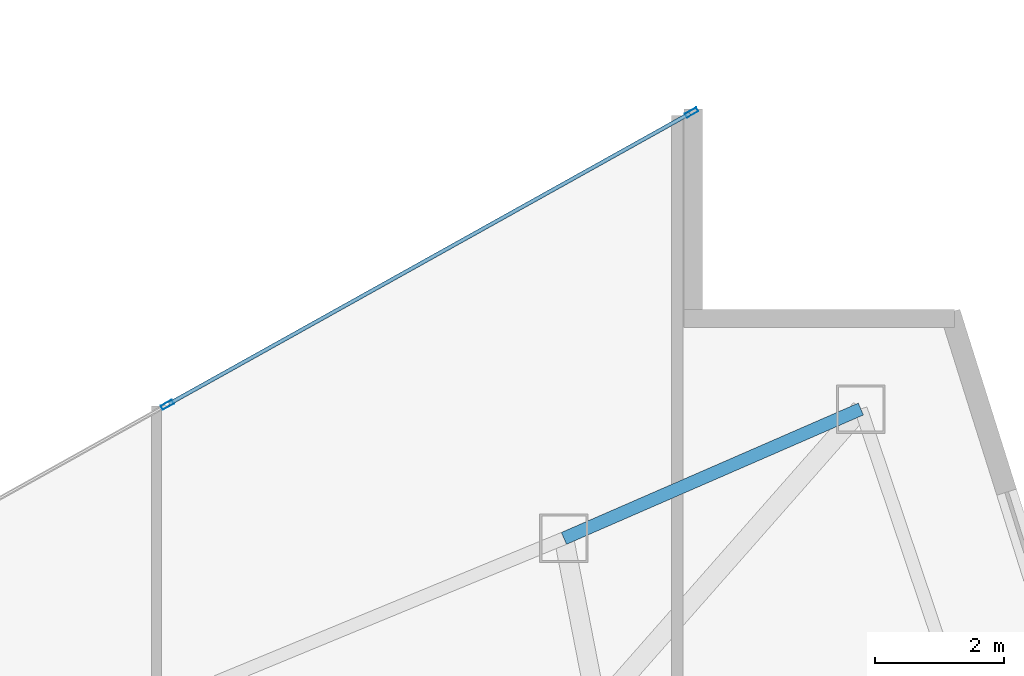
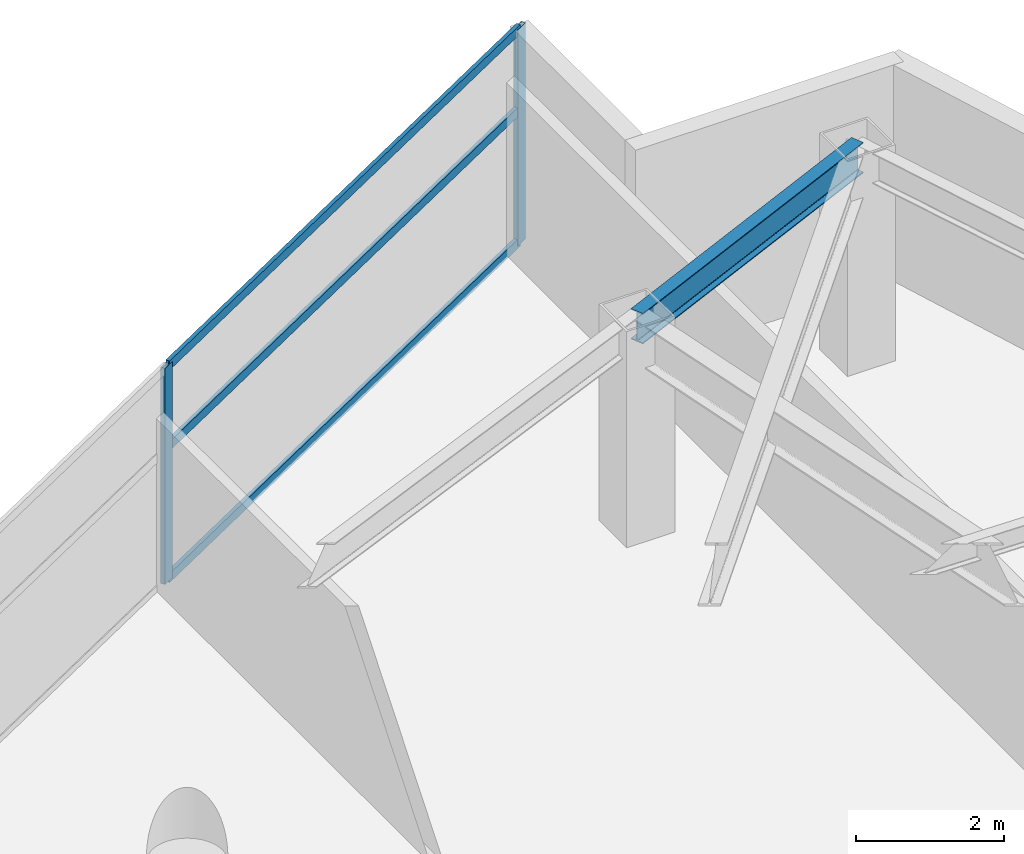
# One storey, part 20 of 29: 5 members, 1 beam, 1 element without a shape of its own.
"""IFC4 building model written with IfcOpenShell, lengths in metres."""

from ifc_helpers import new_model, si_unit, direction, frame, origin, origin_2d, place, context, subcontext, project, spatial, hollow_rectangle, i_section, extrude, material, layer, layer_set, material_profile, profile_set, type_object, element, aggregate, save


model = new_model("IFC4")

# Units and contexts
model_context = context("Model", 3, precision=1e-05, world=origin(), true_north=direction((0.0, 1.0)))
body_context = subcontext(model_context, "Body", "Model", "MODEL_VIEW")
ifc_project = project(units=[si_unit("LENGTHUNIT", "METRE"), si_unit("AREAUNIT", "SQUARE_METRE"), si_unit("VOLUMEUNIT", "CUBIC_METRE"), si_unit("PLANEANGLEUNIT", "RADIAN"), si_unit("MASSUNIT", "GRAM", prefix="KILO")], contexts=[model_context])

# Site, building, storey
site_placement = place(None, origin())
site = spatial("IfcSite", under=ifc_project, at=site_placement, CompositionType="ELEMENT")
building_placement = place(site_placement, origin())
building = spatial("IfcBuilding", under=site, at=building_placement, Name="Calvorn Quay Hotel", CompositionType="ELEMENT")
storey_placement = place(building_placement, frame((0.0, 0.0, 124.0)))
storey = spatial("IfcBuildingStorey", under=building, at=storey_placement, Name="L30", CompositionType="ELEMENT", Elevation=124.0)

# Beam
ifc_material_1 = material(Name="Steel Q355B", Category="steel")
ifc_material_profile_1 = material_profile(ifc_material_1, i_section(OverallWidth=0.199951171875, OverallDepth=0.5, WebThickness=0.010009765625, FlangeThickness=0.01611328125, FilletRadius=0.01611328125, at=origin_2d()), Name="HN500x200x10x16")
ifc_profile_set_1 = profile_set([ifc_material_profile_1], Name="Steel Q355B")
beam_type = type_object("IfcBeamType", Name="BM-SPANDREL-Z1", PredefinedType="SPANDREL", material=ifc_profile_set_1)
beam_placement = place(storey_placement, frame((48.591064453125, 33.39990234375, 3.2900390625), z_axis=(-0.916786146489, -0.399378469132, 0.0), x_axis=(0.399378469132, -0.916786146489, 0.0)))
element("IfcBeam", 1, at=beam_placement, inside=storey, type_object=beam_type, Name="Beam BSP-L30-E3", PredefinedType="SPANDREL", context=body_context, shape_type="SweptSolid", body=[
    extrude(i_section(OverallWidth=0.199951171875, OverallDepth=0.5, WebThickness=0.010009765625, FlangeThickness=0.01611328125, FilletRadius=0.01611328125, at=origin_2d()), origin(), (0.0, 0.0, 1.0), 5.0078125),
])

# Curtain wall, members
ifc_material_2 = material(Name="Pale Anodised Aluminium and Low-E Glass", Category="aluminium")
ifc_layer = layer(ifc_material_2, 0.219970703125)
ifc_layer_set = layer_set([ifc_layer], Name="CW-SYS-Z2")
curtain_wall_type = type_object("IfcCurtainWallType", Name="CW-SYS-Z2", PredefinedType="NOTDEFINED", material=ifc_layer_set)
curtain_wall_placement = place(storey_placement, origin())
curtain_wall = element("IfcCurtainWall", 2, at=curtain_wall_placement, inside=storey, type_object=curtain_wall_type, Name="Inner Court Curtain Wall L30-NE1", PredefinedType="NOTDEFINED")
ifc_material_3 = material(Name="Pale Anodised Aluminium 6063-T6", Category="aluminium")
ifc_material_profile_2 = material_profile(ifc_material_3, hollow_rectangle(XDim=0.070068359375, YDim=0.199951171875, WallThickness=0.00390625, at=origin_2d()), Name="ALU-M200x70x4")
ifc_profile_set_2 = profile_set([ifc_material_profile_2], Name="Pale Anodised Aluminium 6063-T6")
member_type_1 = type_object("IfcMemberType", Name="CW-SYS-Z2-MUL", PredefinedType="MULLION", material=ifc_profile_set_2)
member_1_placement = place(storey_placement, frame((45.973876953125, 37.9853515625, 0.0), z_axis=(0.0, 0.0, 1.0), x_axis=(0.486858256224, -0.873480989116, 0.0)))
member_1 = element("IfcMember", 3, at=member_1_placement, type_object=member_type_1, Name="CW-L30-NE1 mullion 1", PredefinedType="MULLION", context=body_context, shape_type="SweptSolid", body=[
    extrude(hollow_rectangle(XDim=0.070068359375, YDim=0.199951171875, WallThickness=0.00390625, at=origin_2d()), origin(), (0.0, 0.0, 1.0), 3.56005859375),
])
member_2_placement = place(storey_placement, frame((37.86669921875, 33.466552734375, 0.0), z_axis=(0.0, 0.0, 1.0), x_axis=(0.486858256224, -0.873480989116, 0.0)))
member_2 = element("IfcMember", 4, at=member_2_placement, type_object=member_type_1, Name="CW-L30-NE1 mullion 2", PredefinedType="MULLION", context=body_context, shape_type="SweptSolid", body=[
    extrude(hollow_rectangle(XDim=0.070068359375, YDim=0.199951171875, WallThickness=0.00390625, at=origin_2d()), origin(), (0.0, 0.0, 1.0), 3.56005859375),
])
ifc_material_4 = material(Name="Pale Anodised Aluminium 6063-T6", Category="aluminium")
ifc_material_profile_3 = material_profile(ifc_material_4, hollow_rectangle(XDim=0.06005859375, YDim=0.14990234375, WallThickness=0.00341796875, at=origin_2d()), Name="ALU-T150x60x3.5")
ifc_profile_set_3 = profile_set([ifc_material_profile_3], Name="Pale Anodised Aluminium 6063-T6")
member_type_2 = type_object("IfcMemberType", Name="CW-SYS-Z2-TRN", PredefinedType="USERDEFINED", material=ifc_profile_set_3)
member_3_placement = place(storey_placement, frame((45.947509765625, 37.970703125, 0.030029296875), z_axis=(-0.87348080454, -0.486858587375, 0.0), x_axis=(0.486858587375, -0.87348080454, 0.0)))
member_3 = element("IfcMember", 5, at=member_3_placement, type_object=member_type_2, Name="CW-L30-NE1 transom 1.1", ObjectType="TRANSOM", PredefinedType="USERDEFINED", context=body_context, shape_type="SweptSolid", body=[
    extrude(hollow_rectangle(XDim=0.06005859375, YDim=0.14990234375, WallThickness=0.00341796875, at=origin_2d()), origin(), (0.0, 0.0, 1.0), 9.221435546875),
])
member_4_placement = place(storey_placement, frame((45.947509765625, 37.970703125, 2.199951171875), z_axis=(-0.87348080454, -0.486858587375, 0.0), x_axis=(0.486858587375, -0.87348080454, 0.0)))
member_4 = element("IfcMember", 6, at=member_4_placement, type_object=member_type_2, Name="CW-L30-NE1 transom 1.2", ObjectType="TRANSOM", PredefinedType="USERDEFINED", context=body_context, shape_type="SweptSolid", body=[
    extrude(hollow_rectangle(XDim=0.06005859375, YDim=0.14990234375, WallThickness=0.00341796875, at=origin_2d()), origin(), (0.0, 0.0, 1.0), 9.221435546875),
])
member_5_placement = place(storey_placement, frame((45.947509765625, 37.970703125, 3.530029296875), z_axis=(-0.87348080454, -0.486858587375, 0.0), x_axis=(0.486858587375, -0.87348080454, 0.0)))
member_5 = element("IfcMember", 7, at=member_5_placement, type_object=member_type_2, Name="CW-L30-NE1 transom 1.3", ObjectType="TRANSOM", PredefinedType="USERDEFINED", context=body_context, shape_type="SweptSolid", body=[
    extrude(hollow_rectangle(XDim=0.06005859375, YDim=0.14990234375, WallThickness=0.00341796875, at=origin_2d()), origin(), (0.0, 0.0, 1.0), 9.221435546875),
])
aggregate(curtain_wall, [member_1, member_2, member_3, member_4, member_5])

save(model, "model.ifc")
